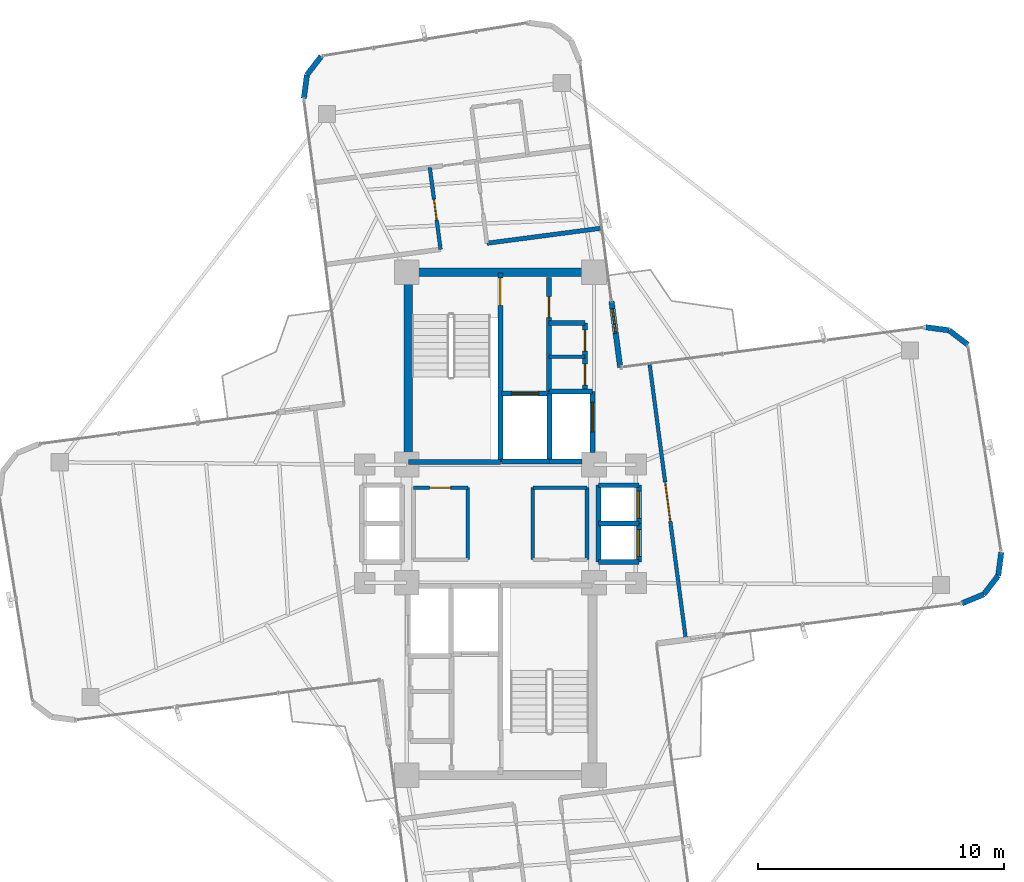
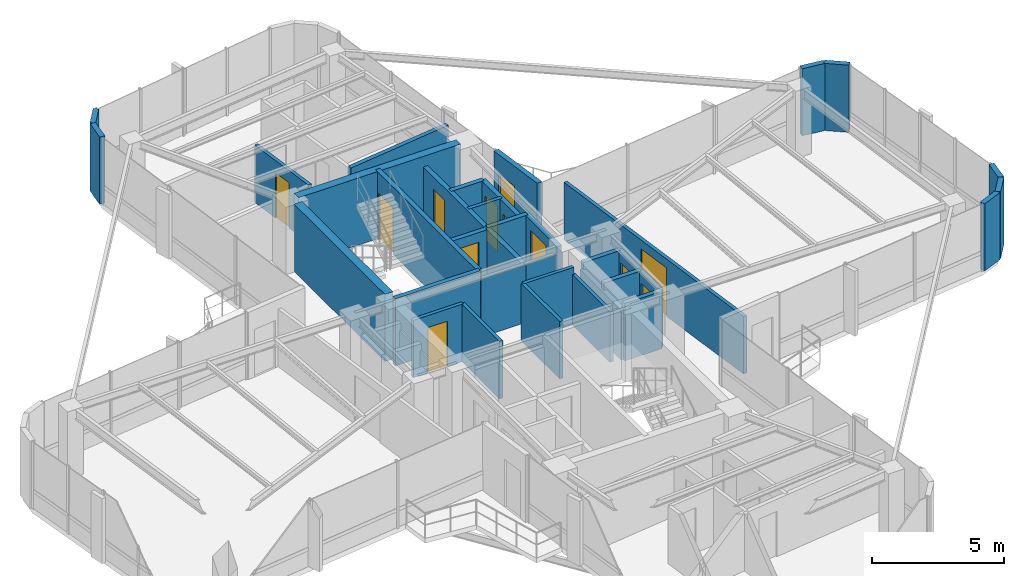
# One storey, part 19 of 21: 36 walls, 12 doors, 12 openings.
"""IFC4 building model written with IfcOpenShell, lengths in metres."""

from ifc_helpers import new_model, si_unit, direction, frame, frame_2d, origin, origin_2d, place, context, subcontext, project, spatial, rectangle, extrude, source, transform, mapped, material, layer, layer_set, type_object, element, fill, save


model = new_model("IFC4")

# Units and contexts
model_context = context("Model", 3, precision=1e-05, world=origin(), true_north=direction((0.0, 1.0)))
body_context = subcontext(model_context, "Body", "Model", "MODEL_VIEW")
ifc_project = project(units=[si_unit("LENGTHUNIT", "METRE"), si_unit("AREAUNIT", "SQUARE_METRE"), si_unit("VOLUMEUNIT", "CUBIC_METRE"), si_unit("PLANEANGLEUNIT", "RADIAN"), si_unit("MASSUNIT", "GRAM", prefix="KILO")], contexts=[model_context])

# Site, building, storey
site_placement = place(None, origin())
site = spatial("IfcSite", under=ifc_project, at=site_placement, CompositionType="ELEMENT")
building_placement = place(site_placement, origin())
building = spatial("IfcBuilding", under=site, at=building_placement, Name="Sahyath Konkavel Grand Hotel", CompositionType="ELEMENT")
storey_placement = place(building_placement, frame((0.0, 0.0, 213.199951171875)))
storey = spatial("IfcBuildingStorey", under=building, at=storey_placement, Name="L59", CompositionType="ELEMENT", Elevation=213.199951171875)

# Walls
ifc_material_1 = material(Name="Concrete C40/50", Category="concrete")
ifc_layer_1 = layer(ifc_material_1, 0.35009765625)
ifc_layer_set_1 = layer_set([ifc_layer_1], Name="Concrete C40/50")
wall_type_1 = type_object("IfcWallType", Name="CWALL-350", PredefinedType="SHEAR", material=ifc_layer_set_1)
wall_1_placement = place(storey_placement, frame((-3.550048828125, 10.199951171875, 0.0), z_axis=(0.0, 0.0, 1.0), x_axis=(1.0, 0.0, 0.0)))
element("IfcWall", 1, at=wall_1_placement, inside=storey, type_object=wall_type_1, Name="L59 North Core Shear Wall N", PredefinedType="SHEAR", context=body_context, shape_type="SweptSolid", body=[
    extrude(rectangle(XDim=7.10009765625, YDim=0.35009765625, at=frame_2d((3.550048828125, 0.0))), origin(), (0.0, 0.0, 1.0), 3.110107421875),
])
wall_2_placement = place(storey_placement, frame((-3.739990234375, 2.85009765625, 0.0), z_axis=(0.0, 0.0, 1.0), x_axis=(0.0, 1.0, 0.0)))
element("IfcWall", 2, at=wall_2_placement, inside=storey, type_object=wall_type_1, Name="L59 North Core Shear Wall W", PredefinedType="SHEAR", context=body_context, shape_type="SweptSolid", body=[
    extrude(rectangle(XDim=6.89990234375, YDim=0.35009765625, at=frame_2d((3.449951171875, 0.0))), origin(), (0.0, 0.0, 1.0), 3.110107421875),
])
ifc_material_2 = material(Name="Warm Buff Sandstone Insulated Concrete C40/50", Category="masonry")
ifc_layer_2 = layer(ifc_material_2, 0.219970703125)
ifc_layer_set_2 = layer_set([ifc_layer_2], Name="Warm Buff Sandstone Insulated Concrete C40/50")
wall_type_2 = type_object("IfcWallType", Name="WLL-BALC-THRESH", PredefinedType="STANDARD", material=ifc_layer_set_2)
for number, where, z_axis, x_axis, name in (
    (3, (18.732177734375, -3.232666015625, 0.0), (0.0, 0.0, 1.0), (0.923889442397, 0.382659506909, 0.0), "L59 Rounded Corner Sandstone Pier 1"),
    (4, (19.616943359375, -2.8662109375, 0.0), (0.0, 0.0, 1.0), (0.608774010809, 0.793343685778, 0.0), "L59 Rounded Corner Sandstone Pier 2"),
    (5, (20.199951171875, -2.1064453125, 0.0), (0.0, 0.0, 1.0), (0.130527053476, 0.991444747987, 0.0), "L59 Rounded Corner Sandstone Pier 3"),
):
    element("IfcWall", number, at=place(storey_placement, frame(where, z_axis=z_axis, x_axis=x_axis)), inside=storey, type_object=wall_type_2, Name=name, PredefinedType="STANDARD", context=body_context, shape_type="SweptSolid", body=[
        extrude(rectangle(XDim=0.957763671875, YDim=0.219970703125, at=frame_2d((0.47900390625, 0.0))), origin(), (0.0, 0.0, 1.0), 3.110107421875),
    ])
wall_3_placement = place(storey_placement, frame((18.96630859375, 7.2626953125, 0.0), z_axis=(0.0, 0.0, 1.0), x_axis=(-0.793249178392, 0.608897151398, 0.0)))
element("IfcWall", 6, at=wall_3_placement, inside=storey, type_object=wall_type_2, Name="L59 Rounded Corner Sandstone Pier 5", PredefinedType="STANDARD", context=body_context, shape_type="SweptSolid", body=[
    extrude(rectangle(XDim=0.95751953125, YDim=0.219970703125, at=frame_2d((0.478759765625, 0.0))), origin(), (0.0, 0.0, 1.0), 3.110107421875),
])
wall_4_placement = place(storey_placement, frame((18.206787109375, 7.845703125, 0.0), z_axis=(0.0, 0.0, 1.0), x_axis=(-0.991444747987, 0.130527053476, 0.0)))
element("IfcWall", 7, at=wall_4_placement, inside=storey, type_object=wall_type_2, Name="L59 Rounded Corner Sandstone Pier 6", PredefinedType="STANDARD", context=body_context, shape_type="SweptSolid", body=[
    extrude(rectangle(XDim=0.957763671875, YDim=0.219970703125, at=frame_2d((0.47900390625, 0.0))), origin(), (0.0, 0.0, 1.0), 3.110107421875),
])

# Wall, opening, door
wall_5_placement = place(storey_placement, frame((4.8642578125, 6.339111328125, 0.0), z_axis=(0.0, 0.0, 1.0), x_axis=(-0.130564442062, 0.991439824936, 0.0)))
wall_5 = element("IfcWall", 8, at=wall_5_placement, inside=storey, type_object=wall_type_2, Name="L59 Winter-Garden Threshold Wall 8", PredefinedType="STANDARD", context=body_context, shape_type="SweptSolid", body=[
    extrude(rectangle(XDim=2.7001953125, YDim=0.219970703125, at=frame_2d((1.35009765625, 0.0))), origin(), (0.0, 0.0, 1.0), 3.110107421875),
])
opening_1_placement = place(wall_5_placement, frame((1.39990234375, 0.0, 0.0)))
opening_1 = element("IfcOpeningElement", 9, at=opening_1_placement, cuts=wall_5, Name="Opening D-TR1", PredefinedType="OPENING", context=body_context, shape_type="SweptSolid", body=[
    extrude(rectangle(XDim=1.0, YDim=2.199951171875, at=frame_2d((0.5, 1.10009765625))), frame((0.0, 0.1201171875, 0.0), z_axis=(0.0, -1.0, 0.0), x_axis=(1.0, 0.0, 0.0)), (0.0, 0.0, 1.0), 0.239990234375),
])
ifc_material_3 = material(Name="Anodised Bronze Aluminium & Low-E Glazing", Category="aluminium")
door_type_1 = type_object("IfcDoorType", Name="DR-TERRACE-1000", OperationType="NOTDEFINED", PredefinedType="DOOR", material=ifc_material_3)
shared_shape_1 = source(origin(), body_context, "Body", "SweptSolid", [
    extrude(rectangle(XDim=1.0, YDim=0.050048828125, at=origin_2d()), origin(), (0.0, 0.0, 1.0), 2.199951171875),
])
door_1_placement = place(opening_1_placement, frame((0.5, 0.0, 0.0)))
door_1 = element("IfcDoor", 10, at=door_1_placement, inside=storey, type_object=door_type_1, Name="L59 Winter-Garden Terrace Door 8", OperationType="SINGLE_SWING_LEFT", OverallHeight=2.199951171875, OverallWidth=1.0, PredefinedType="DOOR", context=body_context, shape_type="MappedRepresentation", body=[
    mapped(shared_shape_1, transform((0.0, 0.0, 0.0), scale=1.0)),
])
fill(opening_1, door_1)

# Walls
wall_6_placement = place(storey_placement, frame((-7.2626953125, 18.96630859375, 0.0), z_axis=(0.0, 0.0, 1.0), x_axis=(-0.608897151398, -0.793249178392, 0.0)))
element("IfcWall", 11, at=wall_6_placement, inside=storey, type_object=wall_type_2, Name="L59 Rounded Corner Sandstone Pier 13", PredefinedType="STANDARD", context=body_context, shape_type="SweptSolid", body=[
    extrude(rectangle(XDim=0.95751953125, YDim=0.219970703125, at=frame_2d((0.478759765625, 0.0))), origin(), (0.0, 0.0, 1.0), 3.110107421875),
])
wall_7_placement = place(storey_placement, frame((-7.845703125, 18.206787109375, 0.0), z_axis=(0.0, 0.0, 1.0), x_axis=(-0.130527053476, -0.991444747987, 0.0)))
element("IfcWall", 12, at=wall_7_placement, inside=storey, type_object=wall_type_2, Name="L59 Rounded Corner Sandstone Pier 14", PredefinedType="STANDARD", context=body_context, shape_type="SweptSolid", body=[
    extrude(rectangle(XDim=0.957763671875, YDim=0.219970703125, at=frame_2d((0.47900390625, 0.0))), origin(), (0.0, 0.0, 1.0), 3.110107421875),
])

# Wall, opening, door
ifc_layer_3 = layer(ifc_material_1, 0.199951171875)
ifc_layer_set_3 = layer_set([ifc_layer_3], Name="Concrete C40/50")
wall_type_3 = type_object("IfcWallType", Name="WLL-CORE-200", PredefinedType="SOLIDWALL", material=ifc_layer_set_3)
wall_8_placement = place(storey_placement, frame((0.0, 2.5, 0.0), z_axis=(0.0, 0.0, 1.0), x_axis=(0.0, 1.0, 0.0)))
wall_8 = element("IfcWall", 13, at=wall_8_placement, inside=storey, type_object=wall_type_3, Name="L59 Stair ST-1 Shaft Wall E", PredefinedType="SOLIDWALL", context=body_context, shape_type="SweptSolid", body=[
    extrude(rectangle(XDim=7.679931640625, YDim=0.199951171875, at=frame_2d((3.83984375, 0.0))), origin(), (0.0, 0.0, 1.0), 3.110107421875),
])
opening_2_placement = place(wall_8_placement, frame((6.360107421875, 0.0, 0.0)))
opening_2 = element("IfcOpeningElement", 14, at=opening_2_placement, cuts=wall_8, Name="Opening D-F12B", PredefinedType="OPENING", context=body_context, shape_type="SweptSolid", body=[
    extrude(rectangle(XDim=1.10009765625, YDim=2.14990234375, at=frame_2d((0.550048828125, 1.074951171875))), frame((0.0, 0.10986328125, 0.0), z_axis=(0.0, -1.0, 0.0), x_axis=(1.0, 0.0, 0.0)), (0.0, 0.0, 1.0), 0.219970703125),
])
ifc_material_4 = material(Name="Steel E350 Smokeproof Fire Door", Category="steel")
door_type_2 = type_object("IfcDoorType", Name="DR-FD120-1100", OperationType="NOTDEFINED", PredefinedType="DOOR", material=ifc_material_4)
shared_shape_2 = source(origin(), body_context, "Body", "SweptSolid", [
    extrude(rectangle(XDim=1.10009765625, YDim=0.050048828125, at=origin_2d()), origin(), (0.0, 0.0, 1.0), 2.14990234375),
])
door_2_placement = place(opening_2_placement, frame((0.550048828125, 0.0, 0.0)))
door_2 = element("IfcDoor", 15, at=door_2_placement, inside=storey, type_object=door_type_2, Name="L59 Stair ST-1 Fire Door", OperationType="SINGLE_SWING_LEFT", OverallHeight=2.14990234375, OverallWidth=1.10009765625, PredefinedType="DOOR", context=body_context, shape_type="MappedRepresentation", body=[
    mapped(shared_shape_2, transform((0.0, 0.0, 0.0), scale=1.0)),
])
fill(opening_2, door_2)

# Wall
wall_9_placement = place(storey_placement, frame((-3.719970703125, 2.5, 0.0), z_axis=(0.0, 0.0, 1.0), x_axis=(1.0, 0.0, 0.0)))
element("IfcWall", 16, at=wall_9_placement, inside=storey, type_object=wall_type_3, Name="L59 Stair ST-1 Shaft Wall S", PredefinedType="SOLIDWALL", context=body_context, shape_type="SweptSolid", body=[
    extrude(rectangle(XDim=3.719970703125, YDim=0.199951171875, at=frame_2d((1.85986328125, 0.0))), origin(), (0.0, 0.0, 1.0), 3.110107421875),
])

# Wall, opening, door
wall_10_placement = place(storey_placement, frame((1.97998046875, 5.320068359375, 0.0), z_axis=(0.0, 0.0, 1.0), x_axis=(0.0, 1.0, 0.0)))
wall_10 = element("IfcWall", 17, at=wall_10_placement, inside=storey, type_object=wall_type_3, Name="L59 North Firefighting Lobby Wall E", PredefinedType="SOLIDWALL", context=body_context, shape_type="SweptSolid", body=[
    extrude(rectangle(XDim=4.659912109375, YDim=0.199951171875, at=frame_2d((2.330078125, 0.0))), origin(), (0.0, 0.0, 1.0), 2.66015625),
])
opening_3_placement = place(wall_10_placement, frame((3.0400390625, 0.0, 0.0)))
opening_3 = element("IfcOpeningElement", 18, at=opening_3_placement, cuts=wall_10, Name="Opening D-F12D", PredefinedType="OPENING", context=body_context, shape_type="SweptSolid", body=[
    extrude(rectangle(XDim=0.85009765625, YDim=2.10009765625, at=frame_2d((0.425048828125, 1.050048828125))), frame((0.0, 0.10986328125, 0.0), z_axis=(0.0, -1.0, 0.0), x_axis=(1.0, 0.0, 0.0)), (0.0, 0.0, 1.0), 0.219970703125),
])
ifc_material_5 = material(Name="Steel E350 Core Fire Door", Category="steel")
door_type_3 = type_object("IfcDoorType", Name="DR-FD120-850", OperationType="NOTDEFINED", PredefinedType="DOOR", material=ifc_material_5)
shared_shape_3 = source(origin(), body_context, "Body", "SweptSolid", [
    extrude(rectangle(XDim=0.85009765625, YDim=0.050048828125, at=origin_2d()), origin(), (0.0, 0.0, 1.0), 2.10009765625),
])
door_3_placement = place(opening_3_placement, frame((0.425048828125, 0.0, 0.0)))
door_3 = element("IfcDoor", 19, at=door_3_placement, inside=storey, type_object=door_type_3, Name="L59 North Firefighting Lobby Door", OperationType="SINGLE_SWING_LEFT", OverallHeight=2.10009765625, OverallWidth=0.85009765625, PredefinedType="DOOR", context=body_context, shape_type="MappedRepresentation", body=[
    mapped(shared_shape_3, transform((0.0, 0.0, 0.0), scale=1.0)),
])
fill(opening_3, door_3)

# Walls
wall_11_placement = place(storey_placement, frame((2.0, 2.5, 0.0), z_axis=(0.0, 0.0, 1.0), x_axis=(0.0, 1.0, 0.0)))
element("IfcWall", 20, at=wall_11_placement, inside=storey, type_object=wall_type_3, Name="L59 Partition SH-FFL1-E", PredefinedType="SOLIDWALL", context=body_context, shape_type="SweptSolid", body=[
    extrude(rectangle(XDim=2.780029296875, YDim=0.199951171875, at=frame_2d((1.39013671875, 0.0))), origin(), (0.0, 0.0, 1.0), 2.66015625),
])
wall_12_placement = place(storey_placement, frame((0.050048828125, 2.52001953125, 0.0), z_axis=(0.0, 0.0, 1.0), x_axis=(1.0, 0.0, 0.0)))
element("IfcWall", 21, at=wall_12_placement, inside=storey, type_object=wall_type_3, Name="L59 Partition SH-FFL1-S", PredefinedType="SOLIDWALL", context=body_context, shape_type="SweptSolid", body=[
    extrude(rectangle(XDim=1.949951171875, YDim=0.199951171875, at=frame_2d((0.97509765625, 0.0))), origin(), (0.0, 0.0, 1.0), 2.66015625),
])

# Wall, opening, door
wall_13_placement = place(storey_placement, frame((0.050048828125, 5.280029296875, 0.0), z_axis=(0.0, 0.0, 1.0), x_axis=(1.0, 0.0, 0.0)))
wall_13 = element("IfcWall", 22, at=wall_13_placement, inside=storey, type_object=wall_type_3, Name="L59 Partition SH-FFL1-N", PredefinedType="SOLIDWALL", context=body_context, shape_type="SweptSolid", body=[
    extrude(rectangle(XDim=1.929931640625, YDim=0.199951171875, at=frame_2d((0.96484375, 0.0))), origin(), (0.0, 0.0, 1.0), 2.66015625),
])
opening_4_placement = place(wall_13_placement, frame((0.39990234375, 0.0, 0.0)))
opening_4 = element("IfcOpeningElement", 23, at=opening_4_placement, cuts=wall_13, Name="Opening LD-11", PredefinedType="OPENING", context=body_context, shape_type="SweptSolid", body=[
    extrude(rectangle(XDim=1.10009765625, YDim=2.199951171875, at=frame_2d((0.550048828125, 1.10009765625))), frame((0.0, 0.10986328125, 0.0), z_axis=(0.0, -1.0, 0.0), x_axis=(1.0, 0.0, 0.0)), (0.0, 0.0, 1.0), 0.219970703125),
])
ifc_material_6 = material(Name="Bronze Lift Landing Door 1100")
door_type_4 = type_object("IfcDoorType", Name="DR-LIFT-1100", OperationType="DOUBLE_DOOR_SLIDING", PredefinedType="DOOR", material=ifc_material_6)
shared_shape_4 = source(origin(), body_context, "Body", "SweptSolid", [
    extrude(rectangle(XDim=1.10009765625, YDim=0.050048828125, at=origin_2d()), origin(), (0.0, 0.0, 1.0), 2.199951171875),
])
door_4_placement = place(opening_4_placement, frame((0.550048828125, 0.0, 0.0)))
door_4 = element("IfcDoor", 24, at=door_4_placement, inside=storey, type_object=door_type_4, Name="L59 Lift FFL-1 Landing Door", OperationType="DOUBLE_DOOR_SLIDING", OverallHeight=2.199951171875, OverallWidth=1.10009765625, PredefinedType="DOOR", context=body_context, shape_type="MappedRepresentation", body=[
    mapped(shared_shape_4, transform((0.0, 0.0, 0.0), scale=1.0)),
])
fill(opening_4, door_4)

# Walls
wall_14_placement = place(storey_placement, frame((2.0, 2.52001953125, 0.0), z_axis=(0.0, 0.0, 1.0), x_axis=(1.0, 0.0, 0.0)))
element("IfcWall", 25, at=wall_14_placement, inside=storey, type_object=wall_type_3, Name="L59 Partition SH-SVL1-S", PredefinedType="SOLIDWALL", context=body_context, shape_type="SweptSolid", body=[
    extrude(rectangle(XDim=1.320068359375, YDim=0.199951171875, at=frame_2d((0.66015625, 0.0))), origin(), (0.0, 0.0, 1.0), 2.66015625),
])
wall_15_placement = place(storey_placement, frame((2.0, 5.360107421875, 0.0), z_axis=(0.0, 0.0, 1.0), x_axis=(1.0, 0.0, 0.0)))
element("IfcWall", 26, at=wall_15_placement, inside=storey, type_object=wall_type_3, Name="L59 Partition SH-SVL1-N", PredefinedType="SOLIDWALL", context=body_context, shape_type="SweptSolid", body=[
    extrude(rectangle(XDim=1.739990234375, YDim=0.199951171875, at=frame_2d((0.8701171875, 0.0))), origin(), (0.0, 0.0, 1.0), 2.66015625),
])

# Wall, opening, door
wall_16_placement = place(storey_placement, frame((3.739990234375, 2.8798828125, 0.0), z_axis=(0.0, 0.0, 1.0), x_axis=(0.0, 1.0, 0.0)))
wall_16 = element("IfcWall", 27, at=wall_16_placement, inside=storey, type_object=wall_type_3, Name="L59 Partition SH-SVL1-E", PredefinedType="SOLIDWALL", context=body_context, shape_type="SweptSolid", body=[
    extrude(rectangle(XDim=2.480224609375, YDim=0.199951171875, at=frame_2d((1.240234375, 0.0))), origin(), (0.0, 0.0, 1.0), 2.66015625),
])
opening_5_placement = place(wall_16_placement, frame((0.840087890625, 0.0, 0.0)))
opening_5 = element("IfcOpeningElement", 28, at=opening_5_placement, cuts=wall_16, Name="Opening LD-12", PredefinedType="OPENING", context=body_context, shape_type="SweptSolid", body=[
    extrude(rectangle(XDim=1.199951171875, YDim=2.199951171875, at=frame_2d((0.60009765625, 1.10009765625))), frame((0.0, 0.10986328125, 0.0), z_axis=(0.0, -1.0, 0.0), x_axis=(1.0, 0.0, 0.0)), (0.0, 0.0, 1.0), 0.219970703125),
])
ifc_material_7 = material(Name="Stainless Steel Lift Landing Door 1200", Category="steel")
door_type_5 = type_object("IfcDoorType", Name="DR-LIFT-1200", OperationType="DOUBLE_DOOR_SLIDING", PredefinedType="DOOR", material=ifc_material_7)
shared_shape_5 = source(origin(), body_context, "Body", "SweptSolid", [
    extrude(rectangle(XDim=1.199951171875, YDim=0.050048828125, at=origin_2d()), origin(), (0.0, 0.0, 1.0), 2.199951171875),
])
door_5_placement = place(opening_5_placement, frame((0.60009765625, 0.0, 0.0)))
door_5 = element("IfcDoor", 29, at=door_5_placement, inside=storey, type_object=door_type_5, Name="L59 Service Lift SVL-1 Landing Door", OperationType="DOUBLE_DOOR_SLIDING", OverallHeight=2.199951171875, OverallWidth=1.199951171875, PredefinedType="DOOR", context=body_context, shape_type="MappedRepresentation", body=[
    mapped(shared_shape_5, transform((0.0, 0.0, 0.0), scale=1.0)),
])
fill(opening_5, door_5)

# Walls
wall_17_placement = place(storey_placement, frame((3.97998046875, -1.56005859375, 0.0), z_axis=(0.0, 0.0, 1.0), x_axis=(0.0, 1.0, 0.0)))
element("IfcWall", 30, at=wall_17_placement, inside=storey, type_object=wall_type_3, Name="L59 Partition SH-PL56-W", PredefinedType="SOLIDWALL", context=body_context, shape_type="SweptSolid", body=[
    extrude(rectangle(XDim=3.1201171875, YDim=0.199951171875, at=frame_2d((1.56005859375, 0.0))), origin(), (0.0, 0.0, 1.0), 2.330078125),
])
for number, where, z_axis, x_axis, name in (
    (31, (3.97998046875, 1.56005859375, 0.0), (0.0, 0.0, 1.0), (1.0, 0.0, 0.0), "L59 Partition SH-PL56-N"),
    (32, (3.97998046875, -1.56005859375, 0.0), (0.0, 0.0, 1.0), (1.0, 0.0, 0.0), "L59 Partition SH-PL56-S"),
    (33, (3.97998046875, 0.0, 0.0), (0.0, 0.0, 1.0), (1.0, 0.0, 0.0), "L59 Partition SH-PL56-M"),
):
    element("IfcWall", number, at=place(storey_placement, frame(where, z_axis=z_axis, x_axis=x_axis)), inside=storey, type_object=wall_type_3, Name=name, PredefinedType="SOLIDWALL", context=body_context, shape_type="SweptSolid", body=[
        extrude(rectangle(XDim=1.64013671875, YDim=0.199951171875, at=frame_2d((0.820068359375, 0.0))), origin(), (0.0, 0.0, 1.0), 2.66015625),
    ])

# Wall, opening, door
wall_18_placement = place(storey_placement, frame((5.6201171875, 0.0, 0.0), z_axis=(0.0, 0.0, 1.0), x_axis=(0.0, 1.0, 0.0)))
wall_18 = element("IfcWall", 34, at=wall_18_placement, inside=storey, type_object=wall_type_3, Name="L59 Partition SH-PL5-E", PredefinedType="SOLIDWALL", context=body_context, shape_type="SweptSolid", body=[
    extrude(rectangle(XDim=1.56005859375, YDim=0.199951171875, at=frame_2d((0.780029296875, 0.0))), origin(), (0.0, 0.0, 1.0), 2.66015625),
])
opening_6_placement = place(wall_18_placement, frame((0.219970703125, 0.0, 0.0)))
opening_6 = element("IfcOpeningElement", 35, at=opening_6_placement, cuts=wall_18, Name="Opening LD-11", PredefinedType="OPENING", context=body_context, shape_type="SweptSolid", body=[
    extrude(rectangle(XDim=1.10009765625, YDim=2.199951171875, at=frame_2d((0.550048828125, 1.10009765625))), frame((0.0, 0.10986328125, 0.0), z_axis=(0.0, -1.0, 0.0), x_axis=(1.0, 0.0, 0.0)), (0.0, 0.0, 1.0), 0.219970703125),
])
door_6_placement = place(opening_6_placement, frame((0.550048828125, 0.0, 0.0)))
door_6 = element("IfcDoor", 36, at=door_6_placement, inside=storey, type_object=door_type_4, Name="L59 High-Rise Lift PL-5 Landing Door", OperationType="DOUBLE_DOOR_SLIDING", OverallHeight=2.199951171875, OverallWidth=1.10009765625, PredefinedType="DOOR", context=body_context, shape_type="MappedRepresentation", body=[
    mapped(shared_shape_4, transform((0.0, 0.0, 0.0), scale=1.0)),
])
fill(opening_6, door_6)

wall_19_placement = place(storey_placement, frame((5.6201171875, -1.56005859375, 0.0), z_axis=(0.0, 0.0, 1.0), x_axis=(0.0, 1.0, 0.0)))
wall_19 = element("IfcWall", 37, at=wall_19_placement, inside=storey, type_object=wall_type_3, Name="L59 Partition SH-PL6-E", PredefinedType="SOLIDWALL", context=body_context, shape_type="SweptSolid", body=[
    extrude(rectangle(XDim=1.56005859375, YDim=0.199951171875, at=frame_2d((0.780029296875, 0.0))), origin(), (0.0, 0.0, 1.0), 2.66015625),
])
opening_7_placement = place(wall_19_placement, frame((0.219970703125, 0.0, 0.0)))
opening_7 = element("IfcOpeningElement", 38, at=opening_7_placement, cuts=wall_19, Name="Opening LD-11", PredefinedType="OPENING", context=body_context, shape_type="SweptSolid", body=[
    extrude(rectangle(XDim=1.10009765625, YDim=2.199951171875, at=frame_2d((0.550048828125, 1.10009765625))), frame((0.0, 0.10986328125, 0.0), z_axis=(0.0, -1.0, 0.0), x_axis=(1.0, 0.0, 0.0)), (0.0, 0.0, 1.0), 0.219970703125),
])
door_7_placement = place(opening_7_placement, frame((0.550048828125, 0.0, 0.0)))
door_7 = element("IfcDoor", 39, at=door_7_placement, inside=storey, type_object=door_type_4, Name="L59 High-Rise Lift PL-6 Landing Door", OperationType="DOUBLE_DOOR_SLIDING", OverallHeight=2.199951171875, OverallWidth=1.10009765625, PredefinedType="DOOR", context=body_context, shape_type="MappedRepresentation", body=[
    mapped(shared_shape_4, transform((0.0, 0.0, 0.0), scale=1.0)),
])
fill(opening_7, door_7)

# Wall, openings, doors
wall_20_placement = place(storey_placement, frame((3.43994140625, 5.3798828125, 0.0), z_axis=(0.0, 0.0, 1.0), x_axis=(0.0, 1.0, 0.0)))
wall_20 = element("IfcWall", 40, at=wall_20_placement, inside=storey, type_object=wall_type_3, Name="L59 Reclaimed North Core Wall E", PredefinedType="SOLIDWALL", context=body_context, shape_type="SweptSolid", body=[
    extrude(rectangle(XDim=2.77001953125, YDim=0.199951171875, at=frame_2d((1.385009765625, 0.0))), origin(), (0.0, 0.0, 1.0), 2.66015625),
])
opening_8_placement = place(wall_20_placement, frame((0.239990234375, 0.0, 0.0)))
opening_8 = element("IfcOpeningElement", 41, at=opening_8_placement, cuts=wall_20, Name="Opening D-F06D", PredefinedType="OPENING", context=body_context, shape_type="SweptSolid", body=[
    extrude(rectangle(XDim=0.85009765625, YDim=2.10009765625, at=frame_2d((0.425048828125, 1.050048828125))), frame((0.0, 0.10986328125, 0.0), z_axis=(0.0, -1.0, 0.0), x_axis=(1.0, 0.0, 0.0)), (0.0, 0.0, 1.0), 0.219970703125),
])
opening_9_placement = place(wall_20_placement, frame((1.6201171875, 0.0, 0.0)))
opening_9 = element("IfcOpeningElement", 42, at=opening_9_placement, cuts=wall_20, Name="Opening D-F06D", PredefinedType="OPENING", context=body_context, shape_type="SweptSolid", body=[
    extrude(rectangle(XDim=0.85009765625, YDim=2.10009765625, at=frame_2d((0.425048828125, 1.050048828125))), frame((0.0, 0.10986328125, 0.0), z_axis=(0.0, -1.0, 0.0), x_axis=(1.0, 0.0, 0.0)), (0.0, 0.0, 1.0), 0.219970703125),
])
ifc_material_8 = material(Name="Fire-Rated Shaft Access Door")
door_type_6 = type_object("IfcDoorType", Name="DR-FD60-850", OperationType="NOTDEFINED", PredefinedType="DOOR", material=ifc_material_8)
door_8_placement = place(opening_8_placement, frame((0.425048828125, 0.0, 0.0)))
door_8 = element("IfcDoor", 43, at=door_8_placement, inside=storey, type_object=door_type_6, Name="L59 Door NC-REC1-D", OperationType="SINGLE_SWING_LEFT", OverallHeight=2.10009765625, OverallWidth=0.85009765625, PredefinedType="DOOR", context=body_context, shape_type="MappedRepresentation", body=[
    mapped(shared_shape_3, transform((0.0, 0.0, 0.0), scale=1.0)),
])
fill(opening_8, door_8)
door_9_placement = place(opening_9_placement, frame((0.425048828125, 0.0, 0.0)))
door_9 = element("IfcDoor", 44, at=door_9_placement, inside=storey, type_object=door_type_6, Name="L59 Door NC-REC2-D", OperationType="SINGLE_SWING_RIGHT", OverallHeight=2.10009765625, OverallWidth=0.85009765625, PredefinedType="DOOR", context=body_context, shape_type="MappedRepresentation", body=[
    mapped(shared_shape_3, transform((0.0, 0.0, 0.0), scale=1.0)),
])
fill(opening_9, door_9)

# Walls
wall_21_placement = place(storey_placement, frame((1.97998046875, 8.14990234375, 0.0), z_axis=(0.0, 0.0, 1.0), x_axis=(1.0, 0.0, 0.0)))
element("IfcWall", 45, at=wall_21_placement, inside=storey, type_object=wall_type_3, Name="L59 Partition NC-REC-N", PredefinedType="SOLIDWALL", context=body_context, shape_type="SweptSolid", body=[
    extrude(rectangle(XDim=1.4599609375, YDim=0.199951171875, at=frame_2d((0.72998046875, 0.0))), origin(), (0.0, 0.0, 1.0), 2.66015625),
])
ifc_material_9 = material(Name="Twin-Stud Acoustic Gypsum Plasterboard Partition")
ifc_layer_4 = layer(ifc_material_9, 0.179931640625)
ifc_layer_set_4 = layer_set([ifc_layer_4], Name="Twin-Stud Acoustic Gypsum Plasterboard Partition")
wall_type_4 = type_object("IfcWallType", Name="WLL-DEMISE-180", PredefinedType="PARTITIONING", material=ifc_layer_set_4)
wall_22_placement = place(storey_placement, frame((4.070556640625, 11.98388671875, 0.0), z_axis=(0.0, 0.0, 1.0), x_axis=(-0.991444821367, -0.130526496103, 0.0)))
element("IfcWall", 46, at=wall_22_placement, inside=storey, type_object=wall_type_4, Name="L59 Partition N-INR", PredefinedType="PARTITIONING", context=body_context, shape_type="SweptSolid", body=[
    extrude(rectangle(XDim=4.64990234375, YDim=0.179931640625, at=frame_2d((2.324951171875, 0.0))), origin(), (0.0, 0.0, 1.0), 2.66015625),
])
ifc_material_10 = material(Name="Fire-Rated Gypsum Plasterboard Partition")
ifc_layer_5 = layer(ifc_material_10, 0.14990234375)
ifc_layer_set_5 = layer_set([ifc_layer_5], Name="Fire-Rated Gypsum Plasterboard Partition")
wall_type_5 = type_object("IfcWallType", Name="WLL-PART-150", PredefinedType="PARTITIONING", material=ifc_layer_set_5)
wall_23_placement = place(storey_placement, frame((1.97998046875, 6.77001953125, 0.0), z_axis=(0.0, 0.0, 1.0), x_axis=(1.0, 0.0, 0.0)))
element("IfcWall", 47, at=wall_23_placement, inside=storey, type_object=wall_type_5, Name="L59 Partition NC-REC-M1", PredefinedType="PARTITIONING", context=body_context, shape_type="SweptSolid", body=[
    extrude(rectangle(XDim=1.4599609375, YDim=0.14990234375, at=frame_2d((0.72998046875, 0.0))), origin(), (0.0, 0.0, 1.0), 2.66015625),
])
wall_24_placement = place(storey_placement, frame((-1.320068359375, -1.4599609375, 0.0), z_axis=(0.0, 0.0, 1.0), x_axis=(0.0, 1.0, 0.0)))
element("IfcWall", 48, at=wall_24_placement, inside=storey, type_object=wall_type_5, Name="L59 Partition CC-1WI", PredefinedType="PARTITIONING", context=body_context, shape_type="SweptSolid", body=[
    extrude(rectangle(XDim=2.919921875, YDim=0.14990234375, at=frame_2d((1.4599609375, 0.0))), origin(), (0.0, 0.0, 1.0), 2.66015625),
])

# Wall, opening, door
wall_25_placement = place(storey_placement, frame((-3.52001953125, 1.4599609375, 0.0), z_axis=(0.0, 0.0, 1.0), x_axis=(1.0, 0.0, 0.0)))
wall_25 = element("IfcWall", 49, at=wall_25_placement, inside=storey, type_object=wall_type_5, Name="L59 Partition CC-1WN", PredefinedType="PARTITIONING", context=body_context, shape_type="SweptSolid", body=[
    extrude(rectangle(XDim=2.199951171875, YDim=0.14990234375, at=frame_2d((1.10009765625, 0.0))), origin(), (0.0, 0.0, 1.0), 2.66015625),
])
opening_10_placement = place(wall_25_placement, frame((0.64990234375, 0.0, 0.0)))
opening_10 = element("IfcOpeningElement", 50, at=opening_10_placement, cuts=wall_25, Name="Opening D-F06D", PredefinedType="OPENING", context=body_context, shape_type="SweptSolid", body=[
    extrude(rectangle(XDim=0.85009765625, YDim=2.10009765625, at=frame_2d((0.425048828125, 1.050048828125))), frame((0.0, 0.0849609375, 0.0), z_axis=(0.0, -1.0, 0.0), x_axis=(1.0, 0.0, 0.0)), (0.0, 0.0, 1.0), 0.169921875),
])
door_10_placement = place(opening_10_placement, frame((0.425048828125, 0.0, 0.0)))
door_10 = element("IfcDoor", 51, at=door_10_placement, inside=storey, type_object=door_type_6, Name="L59 Door CC-D1W", OperationType="SINGLE_SWING_LEFT", OverallHeight=2.10009765625, OverallWidth=0.85009765625, PredefinedType="DOOR", context=body_context, shape_type="MappedRepresentation", body=[
    mapped(shared_shape_3, transform((0.0, 0.0, 0.0), scale=1.0)),
])
fill(opening_10, door_10)

# Walls
wall_26_placement = place(storey_placement, frame((1.320068359375, -1.4599609375, 0.0), z_axis=(0.0, 0.0, 1.0), x_axis=(0.0, 1.0, 0.0)))
element("IfcWall", 52, at=wall_26_placement, inside=storey, type_object=wall_type_5, Name="L59 Partition CC-1EI", PredefinedType="PARTITIONING", context=body_context, shape_type="SweptSolid", body=[
    extrude(rectangle(XDim=2.919921875, YDim=0.14990234375, at=frame_2d((1.4599609375, 0.0))), origin(), (0.0, 0.0, 1.0), 2.66015625),
])
wall_27_placement = place(storey_placement, frame((3.52001953125, -1.4599609375, 0.0), z_axis=(0.0, 0.0, 1.0), x_axis=(0.0, 1.0, 0.0)))
element("IfcWall", 53, at=wall_27_placement, inside=storey, type_object=wall_type_5, Name="L59 Partition CC-1EO", PredefinedType="PARTITIONING", context=body_context, shape_type="SweptSolid", body=[
    extrude(rectangle(XDim=2.919921875, YDim=0.14990234375, at=frame_2d((1.4599609375, 0.0))), origin(), (0.0, 0.0, 1.0), 2.330078125),
])
wall_28_placement = place(storey_placement, frame((1.320068359375, 1.4599609375, 0.0), z_axis=(0.0, 0.0, 1.0), x_axis=(1.0, 0.0, 0.0)))
element("IfcWall", 54, at=wall_28_placement, inside=storey, type_object=wall_type_5, Name="L59 Partition CC-1EN", PredefinedType="PARTITIONING", context=body_context, shape_type="SweptSolid", body=[
    extrude(rectangle(XDim=2.199951171875, YDim=0.14990234375, at=frame_2d((1.10009765625, 0.0))), origin(), (0.0, 0.0, 1.0), 2.66015625),
])

# Wall, opening, door
wall_29_placement = place(storey_placement, frame((7.522216796875, -4.657958984375, 0.0), z_axis=(0.0, 0.0, 1.0), x_axis=(-0.130505824974, 0.99144754256, 0.0)))
wall_29 = element("IfcWall", 55, at=wall_29_placement, inside=storey, type_object=wall_type_5, Name="L59 Partition E-SAL-IN", PredefinedType="PARTITIONING", context=body_context, shape_type="SweptSolid", body=[
    extrude(rectangle(XDim=11.199951171875, YDim=0.14990234375, at=frame_2d((5.60009765625, 0.0))), origin(), (0.0, 0.0, 1.0), 2.66015625),
])
opening_11_placement = place(wall_29_placement, frame((4.800048828125, 0.0, 0.0)))
opening_11 = element("IfcOpeningElement", 56, at=opening_11_placement, cuts=wall_29, Name="Opening D-DB16", PredefinedType="OPENING", context=body_context, shape_type="SweptSolid", body=[
    extrude(rectangle(XDim=1.60009765625, YDim=2.25, at=frame_2d((0.800048828125, 1.125))), frame((0.0, 0.0849609375, 0.0), z_axis=(0.0, -1.0, 0.0), x_axis=(1.0, 0.0, 0.0)), (0.0, 0.0, 1.0), 0.169921875),
])
ifc_material_11 = material(Name="Double Leaf Lounge Glazed Timber Door", Category="wood")
door_type_7 = type_object("IfcDoorType", Name="DR-DBL-1600", OperationType="DOUBLE_DOOR_SINGLE_SWING", PredefinedType="DOOR", material=ifc_material_11)
shared_shape_6 = source(origin(), body_context, "Body", "SweptSolid", [
    extrude(rectangle(XDim=1.60009765625, YDim=0.050048828125, at=origin_2d()), origin(), (0.0, 0.0, 1.0), 2.25),
])
door_11_placement = place(opening_11_placement, frame((0.800048828125, 0.0, 0.0)))
door_11 = element("IfcDoor", 57, at=door_11_placement, inside=storey, type_object=door_type_7, Name="L59 Door E-SAL-D", OperationType="DOUBLE_DOOR_SINGLE_SWING", OverallHeight=2.25, OverallWidth=1.60009765625, PredefinedType="DOOR", context=body_context, shape_type="MappedRepresentation", body=[
    mapped(shared_shape_6, transform((0.0, 0.0, 0.0), scale=1.0)),
])
fill(opening_11, door_11)

wall_30_placement = place(storey_placement, frame((-2.42333984375, 11.12890625, 0.0), z_axis=(0.0, 0.0, 1.0), x_axis=(-0.130526150873, 0.991444866817, 0.0)))
wall_30 = element("IfcWall", 58, at=wall_30_placement, inside=storey, type_object=wall_type_5, Name="L59 Partition N-CL", PredefinedType="PARTITIONING", context=body_context, shape_type="SweptSolid", body=[
    extrude(rectangle(XDim=3.349853515625, YDim=0.14990234375, at=frame_2d((1.6748046875, 0.0))), origin(), (0.0, 0.0, 1.0), 2.66015625),
])
opening_12_placement = place(wall_30_placement, frame((1.199951171875, 0.0, 0.0)))
opening_12 = element("IfcOpeningElement", 59, at=opening_12_placement, cuts=wall_30, Name="Opening D-F06D", PredefinedType="OPENING", context=body_context, shape_type="SweptSolid", body=[
    extrude(rectangle(XDim=0.85009765625, YDim=2.10009765625, at=frame_2d((0.425048828125, 1.050048828125))), frame((0.0, 0.0849609375, 0.0), z_axis=(0.0, -1.0, 0.0), x_axis=(1.0, 0.0, 0.0)), (0.0, 0.0, 1.0), 0.169921875),
])
door_12_placement = place(opening_12_placement, frame((0.425048828125, 0.0, 0.0)))
door_12 = element("IfcDoor", 60, at=door_12_placement, inside=storey, type_object=door_type_6, Name="L59 Door N-NS3L-D", OperationType="SINGLE_SWING_LEFT", OverallHeight=2.10009765625, OverallWidth=0.85009765625, PredefinedType="DOOR", context=body_context, shape_type="MappedRepresentation", body=[
    mapped(shared_shape_3, transform((0.0, 0.0, 0.0), scale=1.0)),
])
fill(opening_12, door_12)

save(model, "model.ifc")
